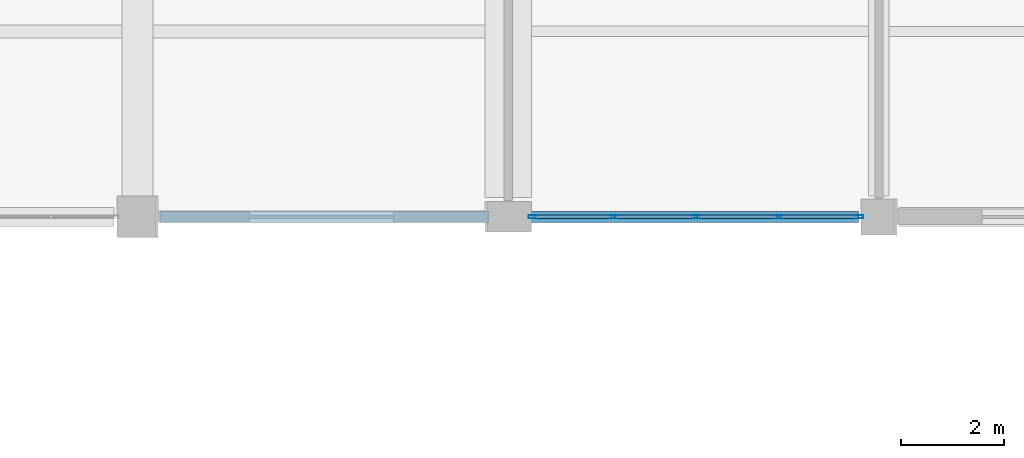
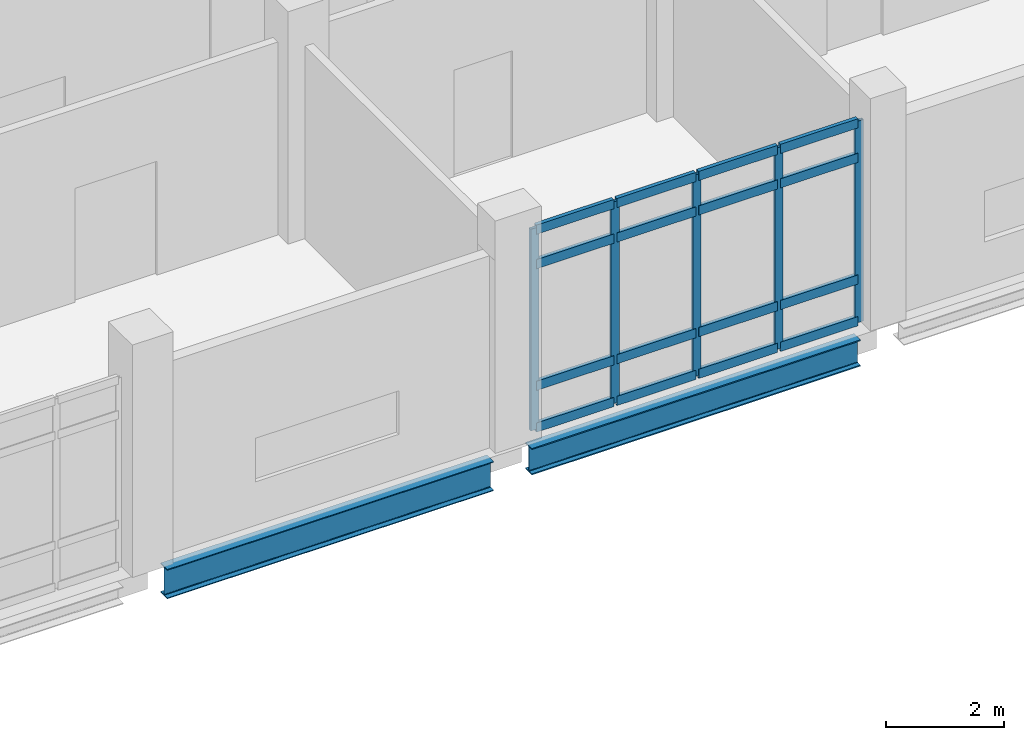
# One storey, part 110 of 186: 21 members, 2 beams, 1 element without a shape of its own.
"""IFC4 building model written with IfcOpenShell, lengths in metres."""

from ifc_helpers import new_model, si_unit, direction, frame, origin, origin_2d, place, context, subcontext, project, spatial, hollow_rectangle, i_section, extrude, material, layer, layer_set, material_profile, profile_set, type_object, element, aggregate, save


model = new_model("IFC4")

# Units and contexts
model_context = context("Model", 3, precision=1e-05, world=origin(), true_north=direction((0.0, 1.0)))
body_context = subcontext(model_context, "Body", "Model", "MODEL_VIEW")
ifc_project = project(units=[si_unit("LENGTHUNIT", "METRE"), si_unit("AREAUNIT", "SQUARE_METRE"), si_unit("VOLUMEUNIT", "CUBIC_METRE"), si_unit("PLANEANGLEUNIT", "RADIAN"), si_unit("MASSUNIT", "GRAM", prefix="KILO")], contexts=[model_context])

# Site, building, storey
site_placement = place(None, origin())
site = spatial("IfcSite", under=ifc_project, at=site_placement, CompositionType="ELEMENT")
building_placement = place(site_placement, origin())
building = spatial("IfcBuilding", under=site, at=building_placement, Name="Calvrana Isthmian Art Gallery", CompositionType="ELEMENT")
storey_placement = place(building_placement, frame((0.0, 0.0, 5.39990234375)))
storey = spatial("IfcBuildingStorey", under=building, at=storey_placement, Name="L01", CompositionType="ELEMENT", Elevation=5.39990234375)

# Beams
ifc_material_1 = material(Name="Steel ASTM A992 Gr 50", Category="steel")
ifc_material_profile_1 = material_profile(ifc_material_1, i_section(OverallWidth=0.214111328125, OverallDepth=0.549072265625, WebThickness=0.0146484375, FlangeThickness=0.023681640625, FilletRadius=0.02099609375, at=origin_2d()), Name="W21X93")
ifc_profile_set_1 = profile_set([ifc_material_profile_1], Name="Steel ASTM A992 Gr 50")
beam_type_1 = type_object("IfcBeamType", Name="BM-G-W21X93", PredefinedType="BEAM", material=ifc_profile_set_1)
beam_1_placement = place(storey_placement, frame((134.77490234375, 76.800048828125, -0.579345703125), z_axis=(1.0, 0.0, 0.0), x_axis=(0.0, 1.0, 0.0)))
element("IfcBeam", 1, at=beam_1_placement, inside=storey, type_object=beam_type_1, Name="Girder X L01 18-19/K", PredefinedType="BEAM", context=body_context, shape_type="SweptSolid", body=[
    extrude(i_section(OverallWidth=0.214111328125, OverallDepth=0.549072265625, WebThickness=0.0146484375, FlangeThickness=0.023681640625, FilletRadius=0.02099609375, at=origin_2d()), origin(), (0.0, 0.0, 1.0), 6.425048828125),
])
ifc_material_profile_2 = material_profile(ifc_material_1, i_section(OverallWidth=0.22802734375, OverallDepth=0.60693359375, WebThickness=0.01123046875, FlangeThickness=0.017333984375, FilletRadius=0.02197265625, at=origin_2d()), Name="W24X76")
ifc_profile_set_2 = profile_set([ifc_material_profile_2], Name="Steel ASTM A992 Gr 50")
beam_type_2 = type_object("IfcBeamType", Name="BM-G-W24X76", PredefinedType="BEAM", material=ifc_profile_set_2)
beam_2_placement = place(storey_placement, frame((127.64990234375, 76.800048828125, -0.6083984375), z_axis=(1.0, 0.0, 0.0), x_axis=(0.0, 1.0, 0.0)))
element("IfcBeam", 2, at=beam_2_placement, inside=storey, type_object=beam_type_2, Name="Girder X L01 17-18/K", PredefinedType="BEAM", context=body_context, shape_type="SweptSolid", body=[
    extrude(i_section(OverallWidth=0.22802734375, OverallDepth=0.60693359375, WebThickness=0.01123046875, FlangeThickness=0.017333984375, FilletRadius=0.02197265625, at=origin_2d()), origin(), (0.0, 0.0, 1.0), 6.375),
])

# Curtain wall, members
ifc_material_2 = material(Name="Anodized bronze aluminium 6063-T6", Category="aluminium")
ifc_layer = layer(ifc_material_2, 0.179931640625, Name="Anodized bronze aluminium 6063-T6")
ifc_layer_set = layer_set([ifc_layer], Name="Anodized bronze aluminium 6063-T6")
curtain_wall_type = type_object("IfcCurtainWallType", Name="CW-UNIT-064X42", PredefinedType="USERDEFINED", material=ifc_layer_set)
curtain_wall_placement = place(storey_placement, origin())
curtain_wall = element("IfcCurtainWall", 3, at=curtain_wall_placement, inside=storey, type_object=curtain_wall_type, Name="Curtain wall CW-109", ObjectType="UNITISED CURTAIN WALL", PredefinedType="USERDEFINED")
ifc_material_profile_3 = material_profile(ifc_material_2, hollow_rectangle(XDim=0.06005859375, YDim=0.159912109375, WallThickness=0.00390625, at=origin_2d()), Name="CWM60X160")
ifc_profile_set_3 = profile_set([ifc_material_profile_3], Name="Anodized bronze aluminium 6063-T6")
member_type_1 = type_object("IfcMemberType", Name="CWM-CWM60X160", PredefinedType="MULLION", material=ifc_profile_set_3)
member_1_placement = place(storey_placement, frame((141.219970703125, 76.800048828125, 0.0), z_axis=(0.0, 0.0, 1.0), x_axis=(0.0, -1.0, 0.0)))
member_1 = element("IfcMember", 4, at=member_1_placement, type_object=member_type_1, Name="CW-109 mullion 1", PredefinedType="MULLION", context=body_context, shape_type="SweptSolid", body=[
    extrude(hollow_rectangle(XDim=0.06005859375, YDim=0.159912109375, WallThickness=0.00390625, at=origin_2d()), origin(), (0.0, 0.0, 1.0), 4.1640625),
])
member_2_placement = place(storey_placement, frame((139.64990234375, 76.800048828125, 0.0), z_axis=(0.0, 0.0, 1.0), x_axis=(0.0, -1.0, 0.0)))
member_2 = element("IfcMember", 5, at=member_2_placement, type_object=member_type_1, Name="CW-109 mullion 2", PredefinedType="MULLION", context=body_context, shape_type="SweptSolid", body=[
    extrude(hollow_rectangle(XDim=0.06005859375, YDim=0.159912109375, WallThickness=0.00390625, at=origin_2d()), origin(), (0.0, 0.0, 1.0), 4.1640625),
])
member_3_placement = place(storey_placement, frame((138.050048828125, 76.800048828125, 0.0), z_axis=(0.0, 0.0, 1.0), x_axis=(0.0, -1.0, 0.0)))
member_3 = element("IfcMember", 6, at=member_3_placement, type_object=member_type_1, Name="CW-109 mullion 3", PredefinedType="MULLION", context=body_context, shape_type="SweptSolid", body=[
    extrude(hollow_rectangle(XDim=0.06005859375, YDim=0.159912109375, WallThickness=0.00390625, at=origin_2d()), origin(), (0.0, 0.0, 1.0), 4.1640625),
])
member_4_placement = place(storey_placement, frame((136.449951171875, 76.800048828125, 0.0), z_axis=(0.0, 0.0, 1.0), x_axis=(0.0, -1.0, 0.0)))
member_4 = element("IfcMember", 7, at=member_4_placement, type_object=member_type_1, Name="CW-109 mullion 4", PredefinedType="MULLION", context=body_context, shape_type="SweptSolid", body=[
    extrude(hollow_rectangle(XDim=0.06005859375, YDim=0.159912109375, WallThickness=0.00390625, at=origin_2d()), origin(), (0.0, 0.0, 1.0), 4.1640625),
])
member_5_placement = place(storey_placement, frame((134.8798828125, 76.800048828125, 0.0), z_axis=(0.0, 0.0, 1.0), x_axis=(0.0, -1.0, 0.0)))
member_5 = element("IfcMember", 8, at=member_5_placement, type_object=member_type_1, Name="CW-109 mullion 5", PredefinedType="MULLION", context=body_context, shape_type="SweptSolid", body=[
    extrude(hollow_rectangle(XDim=0.06005859375, YDim=0.159912109375, WallThickness=0.00390625, at=origin_2d()), origin(), (0.0, 0.0, 1.0), 4.1640625),
])
ifc_material_profile_4 = material_profile(ifc_material_2, hollow_rectangle(XDim=0.074951171875, YDim=0.18994140625, WallThickness=0.00439453125, at=origin_2d()), Name="CWT75X190")
ifc_profile_set_4 = profile_set([ifc_material_profile_4], Name="Anodized bronze aluminium 6063-T6")
member_type_2 = type_object("IfcMemberType", Name="CWT-CWT75X190", PredefinedType="USERDEFINED", material=ifc_profile_set_4)
member_6_placement = place(storey_placement, frame((141.18994140625, 76.800048828125, 0.03759765625), z_axis=(-1.0, 0.0, 0.0), x_axis=(0.0, -1.0, 0.0)))
member_6 = element("IfcMember", 9, at=member_6_placement, type_object=member_type_2, Name="CW-109 transom 1.1", ObjectType="TRANSOM", PredefinedType="USERDEFINED", context=body_context, shape_type="SweptSolid", body=[
    extrude(hollow_rectangle(XDim=0.074951171875, YDim=0.18994140625, WallThickness=0.00439453125, at=origin_2d()), origin(), (0.0, 0.0, 1.0), 1.510009765625),
])
member_7_placement = place(storey_placement, frame((141.18994140625, 76.800048828125, 0.900146484375), z_axis=(-1.0, 0.0, 0.0), x_axis=(0.0, -1.0, 0.0)))
member_7 = element("IfcMember", 10, at=member_7_placement, type_object=member_type_2, Name="CW-109 transom 1.2", ObjectType="TRANSOM", PredefinedType="USERDEFINED", context=body_context, shape_type="SweptSolid", body=[
    extrude(hollow_rectangle(XDim=0.074951171875, YDim=0.18994140625, WallThickness=0.00439453125, at=origin_2d()), origin(), (0.0, 0.0, 1.0), 1.510009765625),
])
member_8_placement = place(storey_placement, frame((141.18994140625, 76.800048828125, 3.4140625), z_axis=(-1.0, 0.0, 0.0), x_axis=(0.0, -1.0, 0.0)))
member_8 = element("IfcMember", 11, at=member_8_placement, type_object=member_type_2, Name="CW-109 transom 1.3", ObjectType="TRANSOM", PredefinedType="USERDEFINED", context=body_context, shape_type="SweptSolid", body=[
    extrude(hollow_rectangle(XDim=0.074951171875, YDim=0.18994140625, WallThickness=0.00439453125, at=origin_2d()), origin(), (0.0, 0.0, 1.0), 1.510009765625),
])
member_9_placement = place(storey_placement, frame((141.18994140625, 76.800048828125, 4.126708984375), z_axis=(-1.0, 0.0, 0.0), x_axis=(0.0, -1.0, 0.0)))
member_9 = element("IfcMember", 12, at=member_9_placement, type_object=member_type_2, Name="CW-109 transom 1.4", ObjectType="TRANSOM", PredefinedType="USERDEFINED", context=body_context, shape_type="SweptSolid", body=[
    extrude(hollow_rectangle(XDim=0.074951171875, YDim=0.18994140625, WallThickness=0.00439453125, at=origin_2d()), origin(), (0.0, 0.0, 1.0), 1.510009765625),
])
member_10_placement = place(storey_placement, frame((139.6201171875, 76.800048828125, 0.03759765625), z_axis=(-1.0, 0.0, 0.0), x_axis=(0.0, -1.0, 0.0)))
member_10 = element("IfcMember", 13, at=member_10_placement, type_object=member_type_2, Name="CW-109 transom 2.1", ObjectType="TRANSOM", PredefinedType="USERDEFINED", context=body_context, shape_type="SweptSolid", body=[
    extrude(hollow_rectangle(XDim=0.074951171875, YDim=0.18994140625, WallThickness=0.00439453125, at=origin_2d()), origin(), (0.0, 0.0, 1.0), 1.5400390625),
])
member_11_placement = place(storey_placement, frame((139.6201171875, 76.800048828125, 0.900146484375), z_axis=(-1.0, 0.0, 0.0), x_axis=(0.0, -1.0, 0.0)))
member_11 = element("IfcMember", 14, at=member_11_placement, type_object=member_type_2, Name="CW-109 transom 2.2", ObjectType="TRANSOM", PredefinedType="USERDEFINED", context=body_context, shape_type="SweptSolid", body=[
    extrude(hollow_rectangle(XDim=0.074951171875, YDim=0.18994140625, WallThickness=0.00439453125, at=origin_2d()), origin(), (0.0, 0.0, 1.0), 1.5400390625),
])
member_12_placement = place(storey_placement, frame((139.6201171875, 76.800048828125, 3.4140625), z_axis=(-1.0, 0.0, 0.0), x_axis=(0.0, -1.0, 0.0)))
member_12 = element("IfcMember", 15, at=member_12_placement, type_object=member_type_2, Name="CW-109 transom 2.3", ObjectType="TRANSOM", PredefinedType="USERDEFINED", context=body_context, shape_type="SweptSolid", body=[
    extrude(hollow_rectangle(XDim=0.074951171875, YDim=0.18994140625, WallThickness=0.00439453125, at=origin_2d()), origin(), (0.0, 0.0, 1.0), 1.5400390625),
])
member_13_placement = place(storey_placement, frame((139.6201171875, 76.800048828125, 4.126708984375), z_axis=(-1.0, 0.0, 0.0), x_axis=(0.0, -1.0, 0.0)))
member_13 = element("IfcMember", 16, at=member_13_placement, type_object=member_type_2, Name="CW-109 transom 2.4", ObjectType="TRANSOM", PredefinedType="USERDEFINED", context=body_context, shape_type="SweptSolid", body=[
    extrude(hollow_rectangle(XDim=0.074951171875, YDim=0.18994140625, WallThickness=0.00439453125, at=origin_2d()), origin(), (0.0, 0.0, 1.0), 1.5400390625),
])
member_14_placement = place(storey_placement, frame((138.02001953125, 76.800048828125, 0.03759765625), z_axis=(-1.0, 0.0, 0.0), x_axis=(0.0, -1.0, 0.0)))
member_14 = element("IfcMember", 17, at=member_14_placement, type_object=member_type_2, Name="CW-109 transom 3.1", ObjectType="TRANSOM", PredefinedType="USERDEFINED", context=body_context, shape_type="SweptSolid", body=[
    extrude(hollow_rectangle(XDim=0.074951171875, YDim=0.18994140625, WallThickness=0.00439453125, at=origin_2d()), origin(), (0.0, 0.0, 1.0), 1.5400390625),
])
member_15_placement = place(storey_placement, frame((138.02001953125, 76.800048828125, 0.900146484375), z_axis=(-1.0, 0.0, 0.0), x_axis=(0.0, -1.0, 0.0)))
member_15 = element("IfcMember", 18, at=member_15_placement, type_object=member_type_2, Name="CW-109 transom 3.2", ObjectType="TRANSOM", PredefinedType="USERDEFINED", context=body_context, shape_type="SweptSolid", body=[
    extrude(hollow_rectangle(XDim=0.074951171875, YDim=0.18994140625, WallThickness=0.00439453125, at=origin_2d()), origin(), (0.0, 0.0, 1.0), 1.5400390625),
])
member_16_placement = place(storey_placement, frame((138.02001953125, 76.800048828125, 3.4140625), z_axis=(-1.0, 0.0, 0.0), x_axis=(0.0, -1.0, 0.0)))
member_16 = element("IfcMember", 19, at=member_16_placement, type_object=member_type_2, Name="CW-109 transom 3.3", ObjectType="TRANSOM", PredefinedType="USERDEFINED", context=body_context, shape_type="SweptSolid", body=[
    extrude(hollow_rectangle(XDim=0.074951171875, YDim=0.18994140625, WallThickness=0.00439453125, at=origin_2d()), origin(), (0.0, 0.0, 1.0), 1.5400390625),
])
member_17_placement = place(storey_placement, frame((138.02001953125, 76.800048828125, 4.126708984375), z_axis=(-1.0, 0.0, 0.0), x_axis=(0.0, -1.0, 0.0)))
member_17 = element("IfcMember", 20, at=member_17_placement, type_object=member_type_2, Name="CW-109 transom 3.4", ObjectType="TRANSOM", PredefinedType="USERDEFINED", context=body_context, shape_type="SweptSolid", body=[
    extrude(hollow_rectangle(XDim=0.074951171875, YDim=0.18994140625, WallThickness=0.00439453125, at=origin_2d()), origin(), (0.0, 0.0, 1.0), 1.5400390625),
])
member_18_placement = place(storey_placement, frame((136.419921875, 76.800048828125, 0.03759765625), z_axis=(-1.0, 0.0, 0.0), x_axis=(0.0, -1.0, 0.0)))
member_18 = element("IfcMember", 21, at=member_18_placement, type_object=member_type_2, Name="CW-109 transom 4.1", ObjectType="TRANSOM", PredefinedType="USERDEFINED", context=body_context, shape_type="SweptSolid", body=[
    extrude(hollow_rectangle(XDim=0.074951171875, YDim=0.18994140625, WallThickness=0.00439453125, at=origin_2d()), origin(), (0.0, 0.0, 1.0), 1.510009765625),
])
member_19_placement = place(storey_placement, frame((136.419921875, 76.800048828125, 0.900146484375), z_axis=(-1.0, 0.0, 0.0), x_axis=(0.0, -1.0, 0.0)))
member_19 = element("IfcMember", 22, at=member_19_placement, type_object=member_type_2, Name="CW-109 transom 4.2", ObjectType="TRANSOM", PredefinedType="USERDEFINED", context=body_context, shape_type="SweptSolid", body=[
    extrude(hollow_rectangle(XDim=0.074951171875, YDim=0.18994140625, WallThickness=0.00439453125, at=origin_2d()), origin(), (0.0, 0.0, 1.0), 1.510009765625),
])
member_20_placement = place(storey_placement, frame((136.419921875, 76.800048828125, 3.4140625), z_axis=(-1.0, 0.0, 0.0), x_axis=(0.0, -1.0, 0.0)))
member_20 = element("IfcMember", 23, at=member_20_placement, type_object=member_type_2, Name="CW-109 transom 4.3", ObjectType="TRANSOM", PredefinedType="USERDEFINED", context=body_context, shape_type="SweptSolid", body=[
    extrude(hollow_rectangle(XDim=0.074951171875, YDim=0.18994140625, WallThickness=0.00439453125, at=origin_2d()), origin(), (0.0, 0.0, 1.0), 1.510009765625),
])
member_21_placement = place(storey_placement, frame((136.419921875, 76.800048828125, 4.126708984375), z_axis=(-1.0, 0.0, 0.0), x_axis=(0.0, -1.0, 0.0)))
member_21 = element("IfcMember", 24, at=member_21_placement, type_object=member_type_2, Name="CW-109 transom 4.4", ObjectType="TRANSOM", PredefinedType="USERDEFINED", context=body_context, shape_type="SweptSolid", body=[
    extrude(hollow_rectangle(XDim=0.074951171875, YDim=0.18994140625, WallThickness=0.00439453125, at=origin_2d()), origin(), (0.0, 0.0, 1.0), 1.510009765625),
])
aggregate(curtain_wall, [member_1, member_2, member_3, member_4, member_5, member_6, member_7, member_8, member_9, member_10, member_11, member_12, member_13, member_14, member_15, member_16, member_17, member_18, member_19, member_20, member_21])

save(model, "model.ifc")
